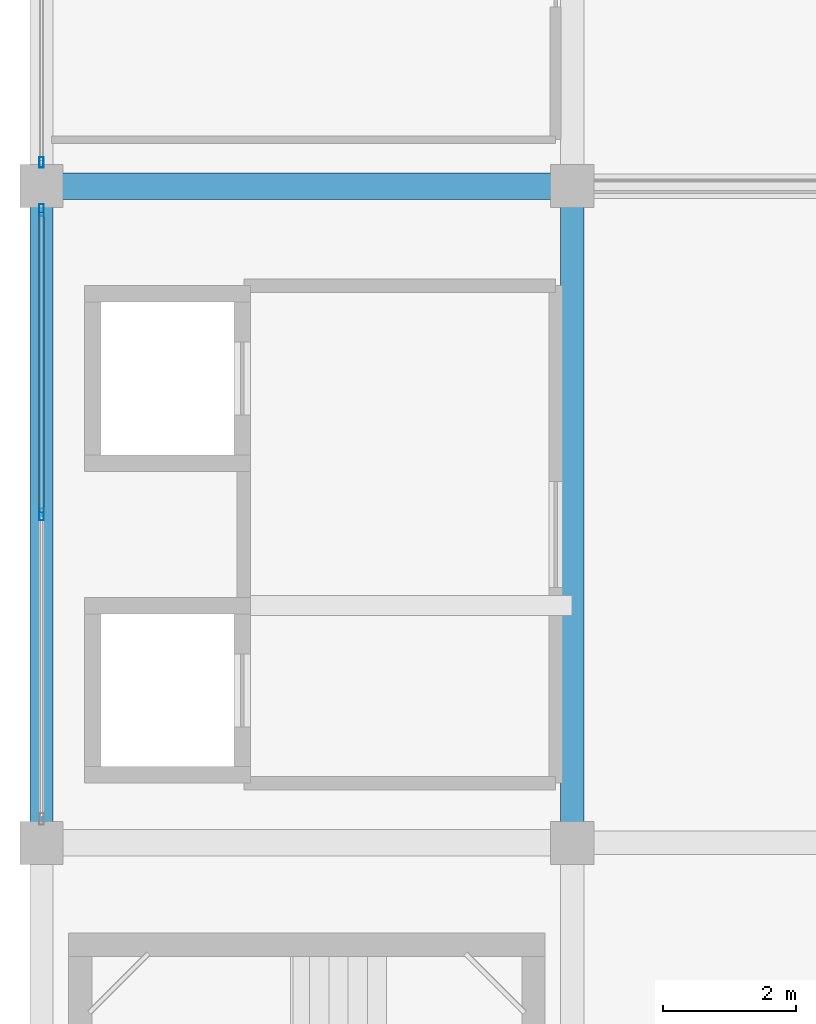
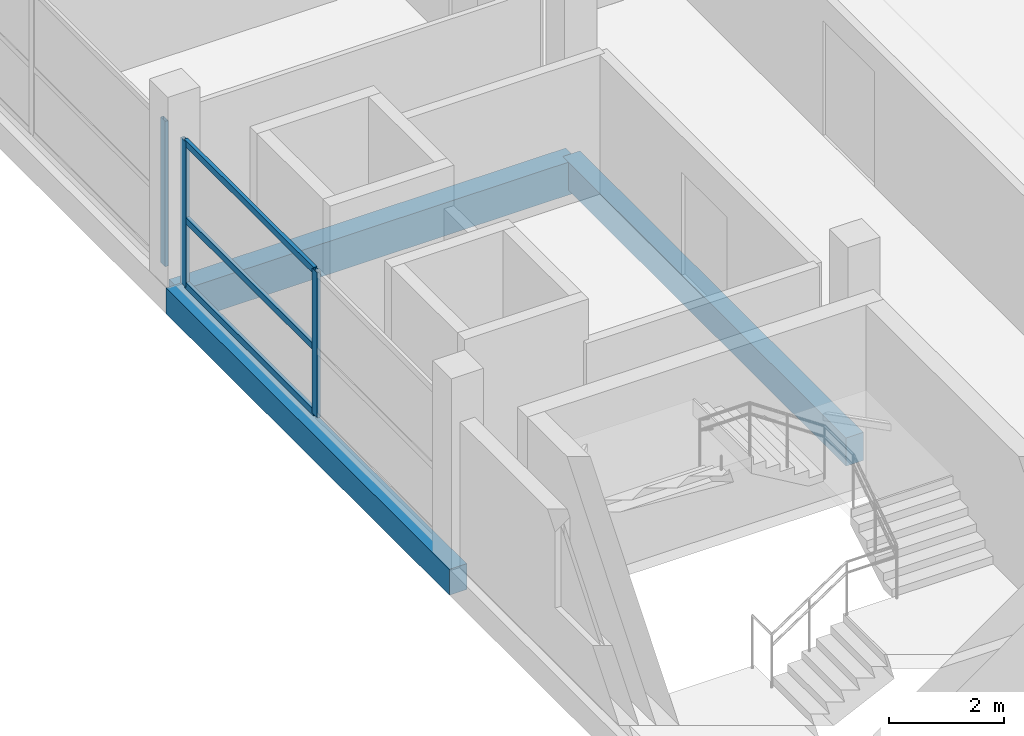
# One storey, part 7 of 66: 6 members, 3 beams, 2 elements without a shape of their own.
"""IFC4 building model written with IfcOpenShell, lengths in metres."""

from ifc_helpers import new_model, si_unit, direction, frame, origin, origin_2d, place, context, subcontext, project, spatial, rectangle, hollow_rectangle, extrude, material, layer, layer_set, material_profile, profile_set, type_object, element, aggregate, save


model = new_model("IFC4")

# Units and contexts
model_context = context("Model", 3, precision=1e-05, world=origin(), true_north=direction((0.0, 1.0)))
body_context = subcontext(model_context, "Body", "Model", "MODEL_VIEW")
ifc_project = project(units=[si_unit("LENGTHUNIT", "METRE"), si_unit("AREAUNIT", "SQUARE_METRE"), si_unit("VOLUMEUNIT", "CUBIC_METRE"), si_unit("PLANEANGLEUNIT", "RADIAN"), si_unit("MASSUNIT", "GRAM", prefix="KILO")], contexts=[model_context])

# Site, building, storey
site_placement = place(None, origin())
site = spatial("IfcSite", under=ifc_project, at=site_placement, CompositionType="ELEMENT")
building_placement = place(site_placement, origin())
building = spatial("IfcBuilding", under=site, at=building_placement, Name="Sillaruma Civic Art Gallery", CompositionType="ELEMENT")
storey_placement = place(building_placement, frame((0.0, 0.0, 62.219970703125)))
storey = spatial("IfcBuildingStorey", under=building, at=storey_placement, Name="L12", CompositionType="ELEMENT", Elevation=62.219970703125)

# Beams
ifc_material_1 = material(Name="Concrete H35 (35 MPa)", Category="concrete")
ifc_material_profile_1 = material_profile(ifc_material_1, rectangle(XDim=0.35009765625, YDim=0.60009765625, at=origin_2d()), Name="RCB350x600")
ifc_profile_set_1 = profile_set([ifc_material_profile_1], Name="Concrete H35 (35 MPa)")
beam_type_1 = type_object("IfcBeamType", Name="BM-BEAM-RCB350x600", PredefinedType="BEAM", material=ifc_profile_set_1)
beam_1_placement = place(storey_placement, frame((70.0, 39.60009765625, -0.530029296875), z_axis=(0.0, 1.0, 0.0), x_axis=(-1.0, 0.0, 0.0)))
element("IfcBeam", 1, at=beam_1_placement, inside=storey, type_object=beam_type_1, Name="Beam BM-06 (L11:G:5-6)", PredefinedType="BEAM", context=body_context, shape_type="SweptSolid", body=[
    extrude(rectangle(XDim=0.35009765625, YDim=0.60009765625, at=origin_2d()), origin(), (0.0, 0.0, 1.0), 9.89990234375),
])
ifc_material_profile_2 = material_profile(ifc_material_1, rectangle(XDim=0.39990234375, YDim=0.699951171875, at=origin_2d()), Name="RCB400x700")
ifc_profile_set_2 = profile_set([ifc_material_profile_2], Name="Concrete H35 (35 MPa)")
beam_type_2 = type_object("IfcBeamType", Name="BM-BEAM-RCB400x700", PredefinedType="BEAM", material=ifc_profile_set_2)
beam_2_placement = place(storey_placement, frame((62.0, 49.5, -0.580078125), z_axis=(1.0, 0.0, 0.0), x_axis=(0.0, 1.0, 0.0)))
element("IfcBeam", 2, at=beam_2_placement, inside=storey, type_object=beam_type_2, Name="Beam BM-04 (L11:6:F-G)", PredefinedType="BEAM", context=body_context, shape_type="SweptSolid", body=[
    extrude(rectangle(XDim=0.39990234375, YDim=0.699951171875, at=origin_2d()), origin(), (0.0, 0.0, 1.0), 8.0),
])
ifc_material_profile_3 = material_profile(ifc_material_1, rectangle(XDim=0.35009765625, YDim=0.550048828125, at=origin_2d()), Name="RCB350x550")
ifc_profile_set_3 = profile_set([ifc_material_profile_3], Name="Concrete H35 (35 MPa)")
beam_type_3 = type_object("IfcBeamType", Name="BM-SPANDREL-RCB350x550", PredefinedType="SPANDREL", material=ifc_profile_set_3)
beam_3_placement = place(storey_placement, frame((62.0, 39.60009765625, -0.5048828125), z_axis=(0.0, 1.0, 0.0), x_axis=(-1.0, 0.0, 0.0)))
element("IfcBeam", 3, at=beam_3_placement, inside=storey, type_object=beam_type_3, Name="Beam BS-04 (L11:F:5-6)", PredefinedType="SPANDREL", context=body_context, shape_type="SweptSolid", body=[
    extrude(rectangle(XDim=0.35009765625, YDim=0.550048828125, at=origin_2d()), origin(), (0.0, 0.0, 1.0), 9.89990234375),
])

# Curtain wall, member
ifc_material_2 = material(Name="Thermally Broken Extruded Aluminium 6063-T6", Category="aluminium")
ifc_layer_1 = layer(ifc_material_2, 0.159912109375, Name="Thermally Broken Extruded Aluminium 6063-T6")
ifc_layer_set_1 = layer_set([ifc_layer_1], Name="Thermally Broken Extruded Aluminium 6063-T6")
curtain_wall_type_1 = type_object("IfcCurtainWallType", Name="CW-UNI-91", PredefinedType="NOTDEFINED", material=ifc_layer_set_1)
curtain_wall_1_placement = place(storey_placement, origin())
curtain_wall_1 = element("IfcCurtainWall", 4, at=curtain_wall_1_placement, inside=storey, type_object=curtain_wall_type_1, Name="Unitised Curtain Wall CW-91 (CW-L12-WBW-4)", PredefinedType="NOTDEFINED")
ifc_material_profile_4 = material_profile(ifc_material_2, hollow_rectangle(XDim=0.06494140625, YDim=0.159912109375, WallThickness=0.00390625, at=origin_2d()), Name="CWM65x160")
ifc_profile_set_4 = profile_set([ifc_material_profile_4], Name="Thermally Broken Extruded Aluminium 6063-T6")
member_type_1 = type_object("IfcMemberType", Name="MEM-MUL-CWM65x160", PredefinedType="MULLION", material=ifc_profile_set_4)
member_1_placement = place(storey_placement, frame((62.0, 49.857421875, 0.0), z_axis=(0.0, 0.0, 1.0), x_axis=(-1.0, 0.0, 0.0)))
member_1 = element("IfcMember", 5, at=member_1_placement, type_object=member_type_1, Name="CW-91 mullion 1", PredefinedType="MULLION", context=body_context, shape_type="SweptSolid", body=[
    extrude(hollow_rectangle(XDim=0.06494140625, YDim=0.159912109375, WallThickness=0.00390625, at=origin_2d()), origin(), (0.0, 0.0, 1.0), 3.10009765625),
])
aggregate(curtain_wall_1, [member_1])

# Curtain wall, members
ifc_layer_2 = layer(ifc_material_2, 0.179931640625, Name="Thermally Broken Extruded Aluminium 6063-T6")
ifc_layer_set_2 = layer_set([ifc_layer_2], Name="Thermally Broken Extruded Aluminium 6063-T6")
curtain_wall_type_2 = type_object("IfcCurtainWallType", Name="CW-UNI-90", PredefinedType="NOTDEFINED", material=ifc_layer_set_2)
curtain_wall_2_placement = place(storey_placement, origin())
curtain_wall_2 = element("IfcCurtainWall", 6, at=curtain_wall_2_placement, inside=storey, type_object=curtain_wall_type_2, Name="Unitised Curtain Wall CW-90 (CW-L12-WBW-3)", PredefinedType="NOTDEFINED")
ifc_material_profile_5 = material_profile(ifc_material_2, hollow_rectangle(XDim=0.070068359375, YDim=0.179931640625, WallThickness=0.00390625, at=origin_2d()), Name="CWM70x180")
ifc_profile_set_5 = profile_set([ifc_material_profile_5], Name="Thermally Broken Extruded Aluminium 6063-T6")
member_type_2 = type_object("IfcMemberType", Name="MEM-MUL-CWM70x180", PredefinedType="MULLION", material=ifc_profile_set_5)
member_2_placement = place(storey_placement, frame((62.0, 44.550048828125, 0.0), z_axis=(0.0, 0.0, 1.0), x_axis=(-1.0, 0.0, 0.0)))
member_2 = element("IfcMember", 7, at=member_2_placement, type_object=member_type_2, Name="CW-90 mullion 2", PredefinedType="MULLION", context=body_context, shape_type="SweptSolid", body=[
    extrude(hollow_rectangle(XDim=0.070068359375, YDim=0.179931640625, WallThickness=0.00390625, at=origin_2d()), origin(), (0.0, 0.0, 1.0), 3.10009765625),
])
member_3_placement = place(storey_placement, frame((62.0, 49.139892578125, 0.0), z_axis=(0.0, 0.0, 1.0), x_axis=(-1.0, 0.0, 0.0)))
member_3 = element("IfcMember", 8, at=member_3_placement, type_object=member_type_2, Name="CW-90 mullion 3", PredefinedType="MULLION", context=body_context, shape_type="SweptSolid", body=[
    extrude(hollow_rectangle(XDim=0.070068359375, YDim=0.179931640625, WallThickness=0.00390625, at=origin_2d()), origin(), (0.0, 0.0, 1.0), 3.10009765625),
])
ifc_material_profile_6 = material_profile(ifc_material_2, hollow_rectangle(XDim=0.070068359375, YDim=0.139892578125, WallThickness=0.00390625, at=origin_2d()), Name="CWT70x140")
ifc_profile_set_6 = profile_set([ifc_material_profile_6], Name="Thermally Broken Extruded Aluminium 6063-T6")
member_type_3 = type_object("IfcMemberType", Name="MEM-TRN-CWT70x140", PredefinedType="USERDEFINED", material=ifc_profile_set_6)
member_4_placement = place(storey_placement, frame((62.0, 44.5849609375, 0.034912109375), z_axis=(0.0, 1.0, 0.0), x_axis=(-1.0, 0.0, 0.0)))
member_4 = element("IfcMember", 9, at=member_4_placement, type_object=member_type_3, Name="CW-90 transom 2.1", ObjectType="TRANSOM", PredefinedType="USERDEFINED", context=body_context, shape_type="SweptSolid", body=[
    extrude(hollow_rectangle(XDim=0.070068359375, YDim=0.139892578125, WallThickness=0.00390625, at=origin_2d()), origin(), (0.0, 0.0, 1.0), 4.52001953125),
])
member_5_placement = place(storey_placement, frame((62.0, 44.5849609375, 1.426025390625), z_axis=(0.0, 1.0, 0.0), x_axis=(-1.0, 0.0, 0.0)))
member_5 = element("IfcMember", 10, at=member_5_placement, type_object=member_type_3, Name="CW-90 transom 2.2", ObjectType="TRANSOM", PredefinedType="USERDEFINED", context=body_context, shape_type="SweptSolid", body=[
    extrude(hollow_rectangle(XDim=0.070068359375, YDim=0.139892578125, WallThickness=0.00390625, at=origin_2d()), origin(), (0.0, 0.0, 1.0), 4.52001953125),
])
member_6_placement = place(storey_placement, frame((62.0, 44.5849609375, 3.06494140625), z_axis=(0.0, 1.0, 0.0), x_axis=(-1.0, 0.0, 0.0)))
member_6 = element("IfcMember", 11, at=member_6_placement, type_object=member_type_3, Name="CW-90 transom 2.3", ObjectType="TRANSOM", PredefinedType="USERDEFINED", context=body_context, shape_type="SweptSolid", body=[
    extrude(hollow_rectangle(XDim=0.070068359375, YDim=0.139892578125, WallThickness=0.00390625, at=origin_2d()), origin(), (0.0, 0.0, 1.0), 4.52001953125),
])
aggregate(curtain_wall_2, [member_2, member_3, member_4, member_5, member_6])

save(model, "model.ifc")
